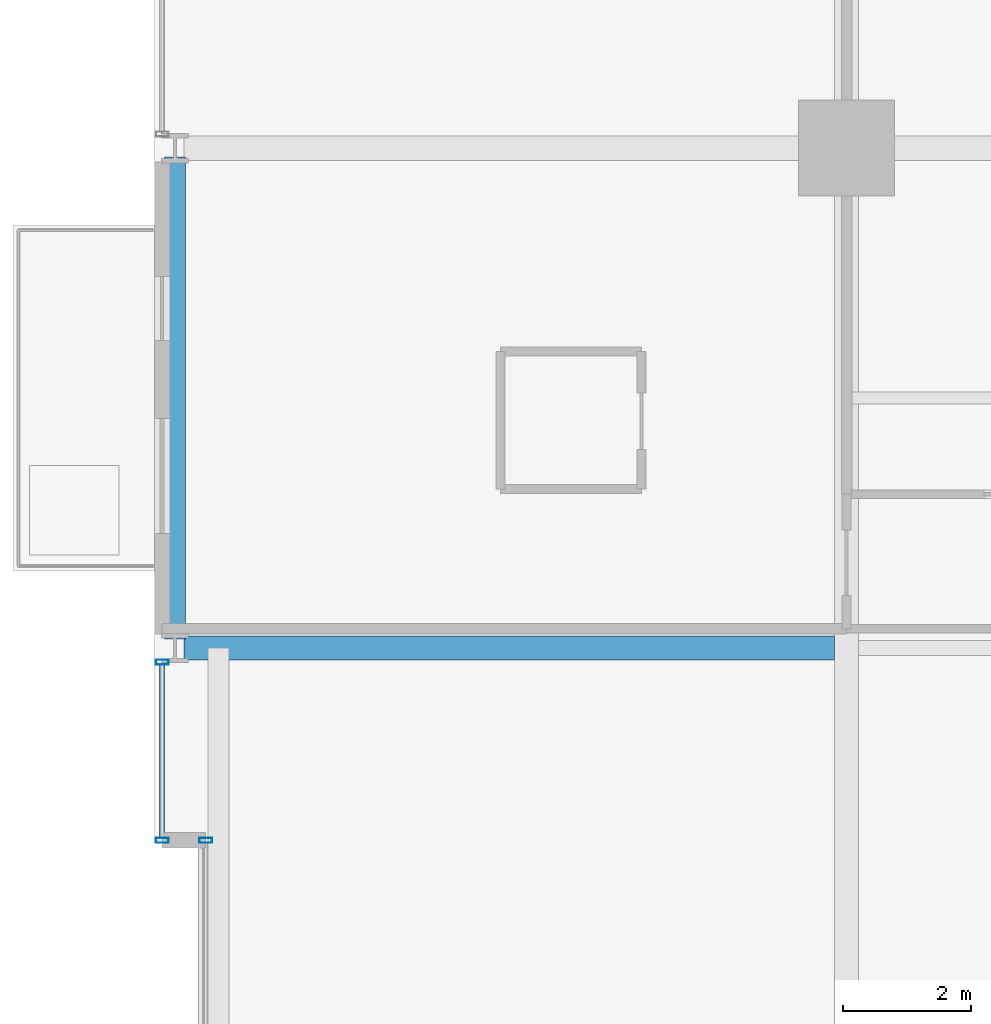
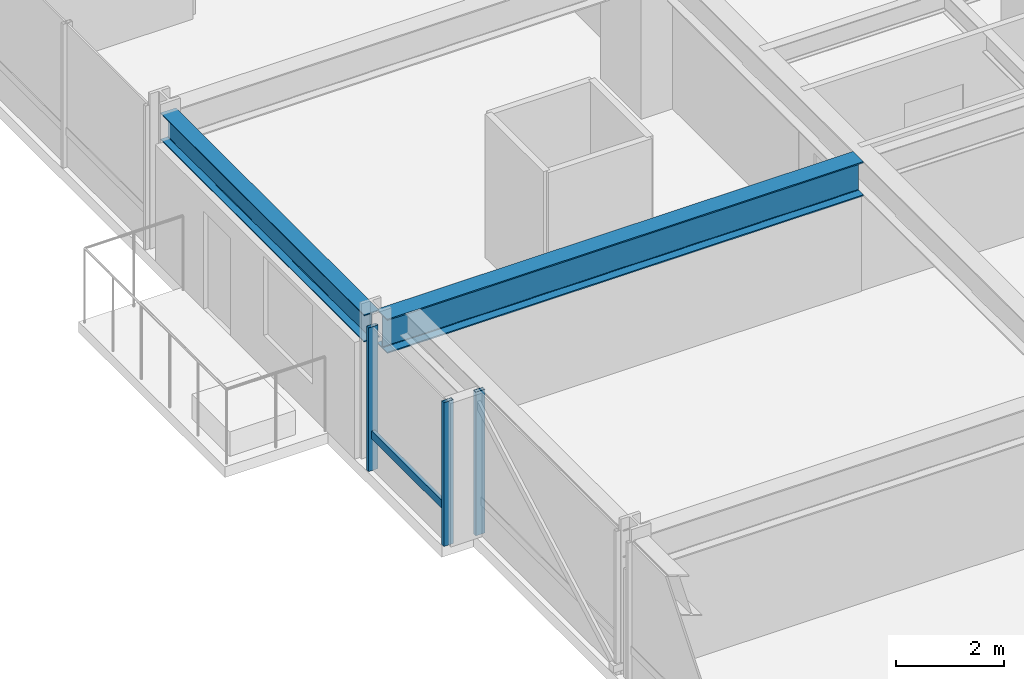
# One storey, part 16 of 34: 4 members, 2 beams, 2 elements without a shape of their own.
"""IFC4 building model written with IfcOpenShell, lengths in metres."""

from ifc_helpers import new_model, si_unit, direction, frame, origin, origin_2d, place, context, subcontext, project, spatial, hollow_rectangle, i_section, extrude, material, layer, layer_set, material_profile, profile_set, type_object, element, aggregate, save


model = new_model("IFC4")

# Units and contexts
model_context = context("Model", 3, precision=1e-05, world=origin(), true_north=direction((0.0, 1.0)))
body_context = subcontext(model_context, "Body", "Model", "MODEL_VIEW")
ifc_project = project(units=[si_unit("LENGTHUNIT", "METRE"), si_unit("AREAUNIT", "SQUARE_METRE"), si_unit("VOLUMEUNIT", "CUBIC_METRE"), si_unit("PLANEANGLEUNIT", "RADIAN"), si_unit("MASSUNIT", "GRAM", prefix="KILO")], contexts=[model_context])

# Site, building, storey
site_placement = place(None, origin())
site = spatial("IfcSite", under=ifc_project, at=site_placement, CompositionType="ELEMENT")
building_placement = place(site_placement, origin())
building = spatial("IfcBuilding", under=site, at=building_placement, Name="Drelvath Grand Hotel", CompositionType="ELEMENT")
storey_placement = place(building_placement, frame((0.0, 0.0, 102.300048828125)))
storey = spatial("IfcBuildingStorey", under=building, at=storey_placement, Name="L25", CompositionType="ELEMENT", Elevation=102.300048828125)

# Curtain wall, member
ifc_material_1 = material(Name="Champagne Bronze Anodised Aluminium Frame", Category="aluminium")
ifc_layer = layer(ifc_material_1, 0.199951171875)
ifc_layer_set = layer_set([ifc_layer], Name="Champagne Bronze Anodised Aluminium Frame")
curtain_wall_type = type_object("IfcCurtainWallType", Name="Stick Curtain Wall CW-03 Champagne Bronze Mid-Rise", PredefinedType="NOTDEFINED", material=ifc_layer_set)
curtain_wall_1_placement = place(storey_placement, origin())
curtain_wall_1 = element("IfcCurtainWall", 1, at=curtain_wall_1_placement, inside=storey, type_object=curtain_wall_type, Name="L25 CW-03 Curtain Wall CW03-L25-WN1", PredefinedType="NOTDEFINED")
ifc_material_profile_1 = material_profile(ifc_material_1, hollow_rectangle(XDim=0.074951171875, YDim=0.179931640625, WallThickness=0.0048828125, at=origin_2d()), Name="HSS180X75X5")
ifc_profile_set_1 = profile_set([ifc_material_profile_1], Name="Champagne Bronze Anodised Aluminium Frame")
member_type_1 = type_object("IfcMemberType", Name="Curtain Wall Horizontal Transom CW-03 HSS180X75X5", PredefinedType="USERDEFINED", material=ifc_profile_set_1)
member_1_placement = place(storey_placement, frame((-26.8798828125, 32.43994140625, 0.81005859375), z_axis=(0.0, 1.0, 0.0), x_axis=(-1.0, 0.0, 0.0)))
member_1 = element("IfcMember", 2, at=member_1_placement, type_object=member_type_1, Name="CW03-L25-WN1 Sill Transom", ObjectType="TRANSOM", PredefinedType="USERDEFINED", context=body_context, shape_type="SweptSolid", body=[
    extrude(hollow_rectangle(XDim=0.074951171875, YDim=0.179931640625, WallThickness=0.0048828125, at=origin_2d()), origin(), (0.0, 0.0, 1.0), 2.700439453125),
])

curtain_wall_2_placement = place(storey_placement, origin())
curtain_wall_2 = element("IfcCurtainWall", 3, at=curtain_wall_2_placement, inside=storey, type_object=curtain_wall_type, Name="L25 CW-03 Curtain Wall CW03-L25-WM2", PredefinedType="NOTDEFINED")
ifc_material_profile_2 = material_profile(ifc_material_1, hollow_rectangle(XDim=0.080078125, YDim=0.199951171875, WallThickness=0.0048828125, at=origin_2d()), Name="HSS200X80X5")
ifc_profile_set_2 = profile_set([ifc_material_profile_2], Name="Champagne Bronze Anodised Aluminium Frame")
member_type_2 = type_object("IfcMemberType", Name="Curtain Wall Vertical Mullion CW-03 HSS200X80X5", PredefinedType="MULLION", material=ifc_profile_set_2)
member_2_placement = place(storey_placement, frame((-26.199951171875, 32.39990234375, 0.0), z_axis=(0.0, 0.0, 1.0), x_axis=(0.0, 1.0, 0.0)))
member_2 = element("IfcMember", 4, at=member_2_placement, type_object=member_type_2, Name="CW03-L25-WM2 Mullion 2", PredefinedType="MULLION", context=body_context, shape_type="SweptSolid", body=[
    extrude(hollow_rectangle(XDim=0.080078125, YDim=0.199951171875, WallThickness=0.0048828125, at=origin_2d()), origin(), (0.0, 0.0, 1.0), 3.239990234375),
])
aggregate(curtain_wall_2, [member_2])

# Member
member_3_placement = place(storey_placement, frame((-26.8798828125, 32.39990234375, 0.0), z_axis=(0.0, 0.0, 1.0), x_axis=(0.0, 1.0, 0.0)))
member_3 = element("IfcMember", 5, at=member_3_placement, type_object=member_type_2, Name="CW03-L25-WN1 Mullion 1", PredefinedType="MULLION", context=body_context, shape_type="SweptSolid", body=[
    extrude(hollow_rectangle(XDim=0.080078125, YDim=0.199951171875, WallThickness=0.0048828125, at=origin_2d()), origin(), (0.0, 0.0, 1.0), 3.239990234375),
])

member_4_placement = place(storey_placement, frame((-26.8798828125, 35.180419921875, 0.0), z_axis=(0.0, 0.0, 1.0), x_axis=(0.0, 1.0, 0.0)))
member_4 = element("IfcMember", 6, at=member_4_placement, type_object=member_type_2, Name="CW03-L25-WN1 Mullion 2", PredefinedType="MULLION", context=body_context, shape_type="SweptSolid", body=[
    extrude(hollow_rectangle(XDim=0.080078125, YDim=0.199951171875, WallThickness=0.0048828125, at=origin_2d()), origin(), (0.0, 0.0, 1.0), 3.239990234375),
])

aggregate(curtain_wall_1, [member_3, member_4, member_1])

# Beams
ifc_material_2 = material(Name="Steel ASTM A992 Gr 50", Category="steel")
ifc_material_profile_3 = material_profile(ifc_material_2, i_section(OverallWidth=0.323974609375, OverallDepth=0.611083984375, WebThickness=0.0126953125, FlangeThickness=0.01904296875, FilletRadius=0.02197265625, at=origin_2d()), Name="W24X104")
ifc_profile_set_3 = profile_set([ifc_material_profile_3], Name="Steel ASTM A992 Gr 50")
beam_type_1 = type_object("IfcBeamType", Name="Perimeter Spandrel Beam W24X104", PredefinedType="SPANDREL", material=ifc_profile_set_3)
beam_1_placement = place(storey_placement, frame((-26.679931640625, 35.5400390625, 2.9345703125), z_axis=(0.0, 1.0, 0.0), x_axis=(-1.0, 0.0, 0.0)))
element("IfcBeam", 7, at=beam_1_placement, inside=storey, type_object=beam_type_1, Name="L25 Spandrel West N", PredefinedType="SPANDREL", context=body_context, shape_type="SweptSolid", body=[
    extrude(i_section(OverallWidth=0.323974609375, OverallDepth=0.611083984375, WebThickness=0.0126953125, FlangeThickness=0.01904296875, FilletRadius=0.02197265625, at=origin_2d()), origin(), (0.0, 0.0, 1.0), 7.52001953125),
])
ifc_material_profile_4 = material_profile(ifc_material_2, i_section(OverallWidth=0.380615234375, OverallDepth=0.773193359375, WebThickness=0.0166015625, FlangeThickness=0.027099609375, FilletRadius=0.02490234375, at=origin_2d()), Name="W30X173")
ifc_profile_set_4 = profile_set([ifc_material_profile_4], Name="Steel ASTM A992 Gr 50")
beam_type_2 = type_object("IfcBeamType", Name="Primary Floor Girder W30X173", PredefinedType="BEAM", material=ifc_profile_set_4)
beam_2_placement = place(storey_placement, frame((-26.5400390625, 35.39990234375, 2.853271484375), z_axis=(1.0, 0.0, 0.0), x_axis=(0.0, 1.0, 0.0)))
element("IfcBeam", 8, at=beam_2_placement, inside=storey, type_object=beam_type_2, Name="L25 West Wing Girder F", PredefinedType="BEAM", context=body_context, shape_type="SweptSolid", body=[
    extrude(i_section(OverallWidth=0.380615234375, OverallDepth=0.773193359375, WebThickness=0.0166015625, FlangeThickness=0.027099609375, FilletRadius=0.02490234375, at=origin_2d()), origin(), (0.0, 0.0, 1.0), 10.149658203125),
])

save(model, "model.ifc")
